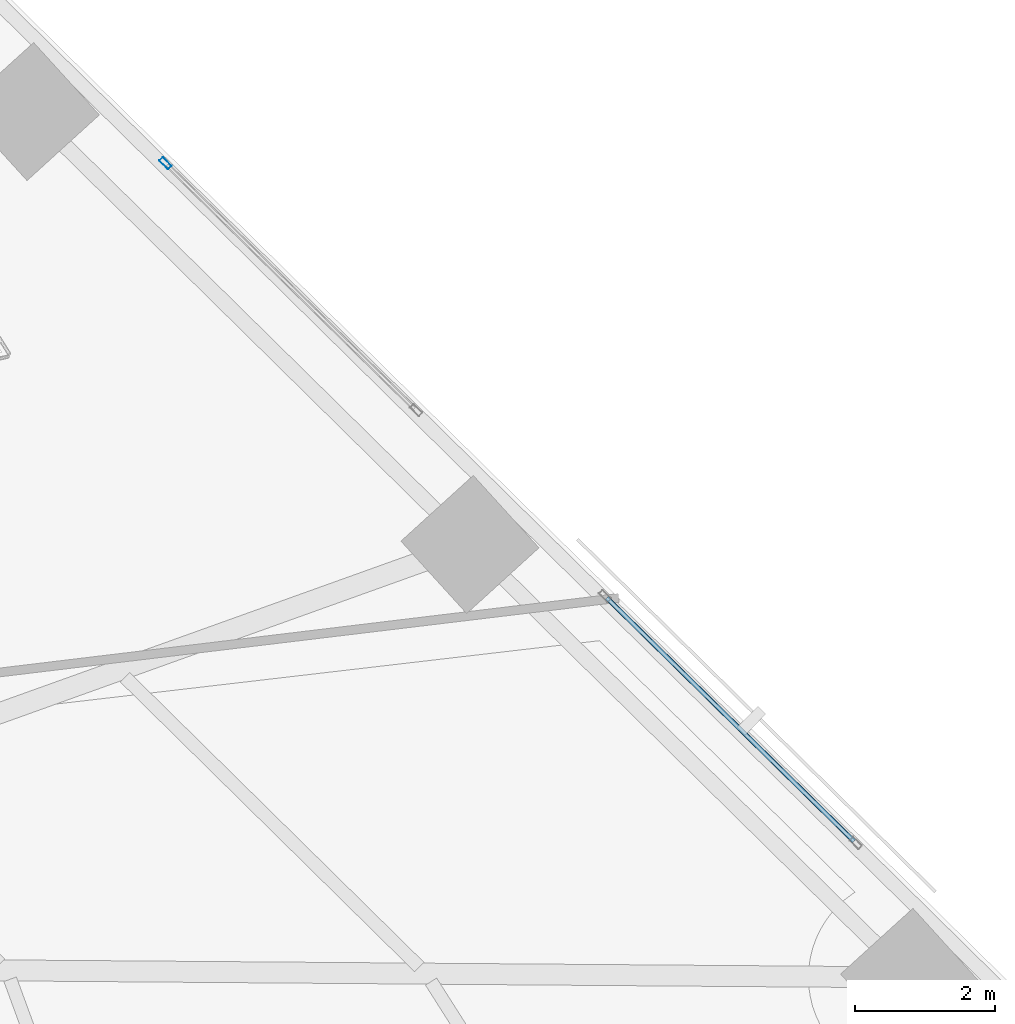
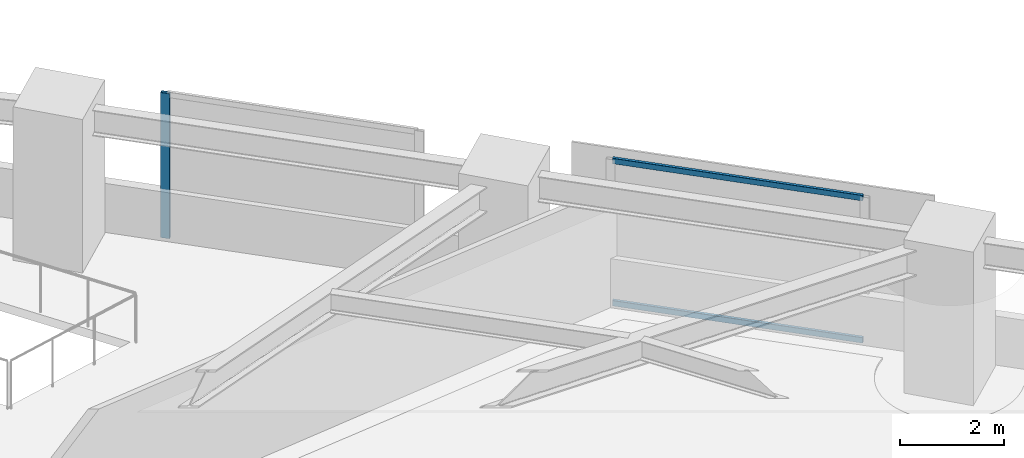
# One storey, part 7 of 17: 3 members, 2 elements without a shape of their own.
"""IFC4 building model written with IfcOpenShell, lengths in metres."""

from ifc_helpers import new_model, si_unit, direction, frame, origin, origin_2d, place, context, subcontext, project, spatial, hollow_rectangle, extrude, material, material_profile, profile_set, type_object, element, aggregate, save


model = new_model("IFC4")

# Units and contexts
model_context = context("Model", 3, precision=1e-05, world=origin(), true_north=direction((0.0, 1.0)))
body_context = subcontext(model_context, "Body", "Model", "MODEL_VIEW")
ifc_project = project(units=[si_unit("LENGTHUNIT", "METRE"), si_unit("AREAUNIT", "SQUARE_METRE"), si_unit("VOLUMEUNIT", "CUBIC_METRE"), si_unit("PLANEANGLEUNIT", "RADIAN"), si_unit("MASSUNIT", "GRAM", prefix="KILO")], contexts=[model_context])

# Site, building, storey
site_placement = place(None, origin())
site = spatial("IfcSite", under=ifc_project, at=site_placement, CompositionType="ELEMENT")
building_placement = place(site_placement, origin())
building = spatial("IfcBuilding", under=site, at=building_placement, Name="Narakoshi Arena Tower", CompositionType="ELEMENT")
storey_placement = place(building_placement, frame((0.0, 0.0, 30.300048828125)))
storey = spatial("IfcBuildingStorey", under=building, at=storey_placement, Name="L07", CompositionType="ELEMENT", Elevation=30.300048828125)

# Curtain wall, member
ifc_material = material(Name="Anodised bronze aluminium 6063-T6", Category="aluminium")
curtain_wall_type = type_object("IfcCurtainWallType", Name="CW-HYP-LOW", PredefinedType="NOTDEFINED", material=ifc_material)
curtain_wall_1_placement = place(storey_placement, origin())
curtain_wall_1 = element("IfcCurtainWall", 1, at=curtain_wall_1_placement, inside=storey, type_object=curtain_wall_type, Name="L07 Folded Hypotenuse Curtain Wall 1-4", PredefinedType="NOTDEFINED")
ifc_material_profile_1 = material_profile(ifc_material, hollow_rectangle(XDim=0.074951171875, YDim=0.179931640625, WallThickness=0.00390625, OuterFilletRadius=0.0048828125, at=origin_2d()), Name="MUL180x75x4")
ifc_profile_set_1 = profile_set([ifc_material_profile_1], Name="Anodised bronze aluminium 6063-T6")
member_type_1 = type_object("IfcMemberType", Name="MEM-MUL-180", PredefinedType="MULLION", material=ifc_profile_set_1)
member_1_placement = place(storey_placement, frame((97.982177734375, 54.835205078125, 0.0), z_axis=(0.0, 0.0, 1.0), x_axis=(-0.701632802488, -0.712538708053, 0.0)))
member_1 = element("IfcMember", 2, at=member_1_placement, type_object=member_type_1, Name="CW-01 mullion 2", PredefinedType="MULLION", context=body_context, shape_type="SweptSolid", body=[
    extrude(hollow_rectangle(XDim=0.074951171875, YDim=0.179931640625, WallThickness=0.00390625, OuterFilletRadius=0.0048828125, at=origin_2d()), origin(), (0.0, 0.0, 1.0), 3.39990234375),
])
aggregate(curtain_wall_1, [member_1])

# Curtain wall, members
curtain_wall_2_placement = place(storey_placement, origin())
curtain_wall_2 = element("IfcCurtainWall", 3, at=curtain_wall_2_placement, inside=storey, type_object=curtain_wall_type, Name="L07 Folded Hypotenuse Curtain Wall 1-3", PredefinedType="NOTDEFINED")
ifc_material_profile_2 = material_profile(ifc_material, hollow_rectangle(XDim=0.06494140625, YDim=0.1298828125, WallThickness=0.00390625, OuterFilletRadius=0.0048828125, at=origin_2d()), Name="TRN130x65x4")
ifc_profile_set_2 = profile_set([ifc_material_profile_2], Name="Anodised bronze aluminium 6063-T6")
member_type_2 = type_object("IfcMemberType", Name="MEM-TRN-130", PredefinedType="USERDEFINED", material=ifc_profile_set_2)
member_2_placement = place(storey_placement, frame((107.845947265625, 45.122314453125, 0.032470703125), z_axis=(-0.712542243067, 0.701629212508, 0.0), x_axis=(-0.701629212508, -0.712542243067, 0.0)))
member_2 = element("IfcMember", 4, at=member_2_placement, type_object=member_type_2, Name="CW-01 transom 1.1", ObjectType="TRANSOM", PredefinedType="USERDEFINED", context=body_context, shape_type="SweptSolid", body=[
    extrude(hollow_rectangle(XDim=0.06494140625, YDim=0.1298828125, WallThickness=0.00390625, OuterFilletRadius=0.0048828125, at=origin_2d()), origin(), (0.0, 0.0, 1.0), 4.966552734375),
])
member_3_placement = place(storey_placement, frame((107.845947265625, 45.122314453125, 3.367431640625), z_axis=(-0.712542243067, 0.701629212508, 0.0), x_axis=(-0.701629212508, -0.712542243067, 0.0)))
member_3 = element("IfcMember", 5, at=member_3_placement, type_object=member_type_2, Name="CW-01 transom 1.2", ObjectType="TRANSOM", PredefinedType="USERDEFINED", context=body_context, shape_type="SweptSolid", body=[
    extrude(hollow_rectangle(XDim=0.06494140625, YDim=0.1298828125, WallThickness=0.00390625, OuterFilletRadius=0.0048828125, at=origin_2d()), origin(), (0.0, 0.0, 1.0), 4.966552734375),
])
aggregate(curtain_wall_2, [member_2, member_3])

save(model, "model.ifc")
